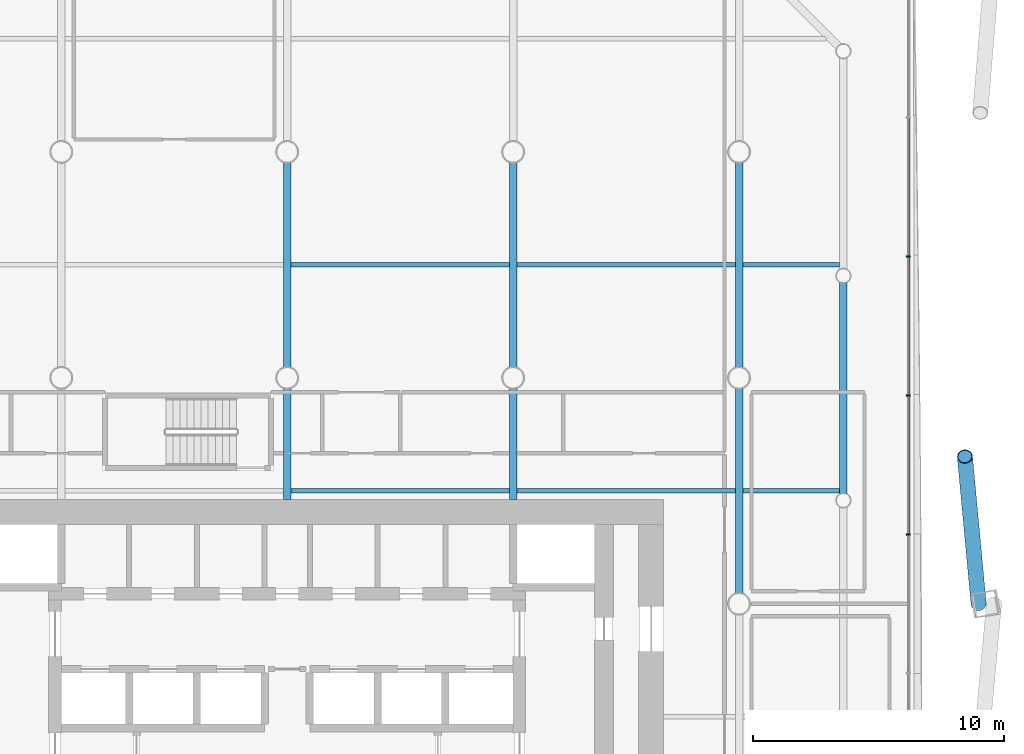
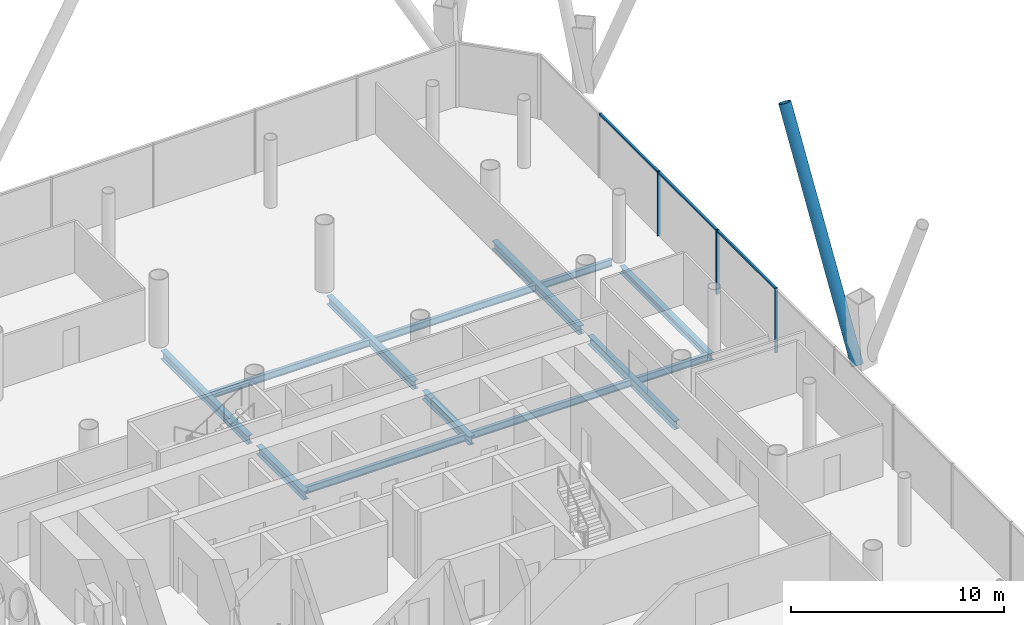
# One storey, part 13 of 25: 13 beams, 7 members, 1 element without a shape of its own.
"""IFC4 building model written with IfcOpenShell, lengths in metres."""

from ifc_helpers import new_model, si_unit, direction, frame, origin, origin_2d, place, context, subcontext, project, spatial, rectangle, hollow_circle, i_section, extrude, material, material_profile, profile_set, type_object, element, aggregate, save


model = new_model("IFC4")

# Units and contexts
model_context = context("Model", 3, precision=1e-05, world=origin(), true_north=direction((0.0, 1.0)))
body_context = subcontext(model_context, "Body", "Model", "MODEL_VIEW")
ifc_project = project(units=[si_unit("LENGTHUNIT", "METRE"), si_unit("AREAUNIT", "SQUARE_METRE"), si_unit("VOLUMEUNIT", "CUBIC_METRE"), si_unit("PLANEANGLEUNIT", "RADIAN"), si_unit("MASSUNIT", "GRAM", prefix="KILO")], contexts=[model_context])

# Site, building, storey
site_placement = place(None, origin())
site = spatial("IfcSite", under=ifc_project, at=site_placement, CompositionType="ELEMENT")
building_placement = place(site_placement, origin())
building = spatial("IfcBuilding", under=site, at=building_placement, Name="Tskaro Facet Tower", CompositionType="ELEMENT")
storey_placement = place(building_placement, frame((0.0, 0.0, 10.800048828125)))
storey = spatial("IfcBuildingStorey", under=building, at=storey_placement, Name="L01", CompositionType="ELEMENT", Elevation=10.800048828125)

# Member
ifc_material_1 = material(Name="Steel S355J2H", Category="steel")
ifc_material_profile_1 = material_profile(ifc_material_1, hollow_circle(Radius=0.304931640625, WallThickness=0.030029296875, at=origin_2d()), Name="CHS 610x30")
ifc_profile_set_1 = profile_set([ifc_material_profile_1], Name="Steel S355J2H")
member_type_1 = type_object("IfcMemberType", Name="CHS 610x30 brace", PredefinedType="BRACE", material=ifc_profile_set_1)
member_1_placement = place(storey_placement, frame((27.544921875, 0.0, 0.0), z_axis=(-0.041803867485, 0.44778409282, 0.893163950728), x_axis=(-0.995670497029, -0.092953006112, 0.0)))
element("IfcMember", 1, at=member_1_placement, inside=storey, type_object=member_type_1, Name="CHS 610x30 XB05A/1", PredefinedType="BRACE", context=body_context, shape_type="SweptSolid", body=[
    extrude(hollow_circle(Radius=0.304931640625, WallThickness=0.030029296875, at=origin_2d()), origin(), (0.0, 0.0, 1.0), 13.099365234375),
])

# Curtain wall, members
ifc_material_2 = material(Name="Bronze anodised aluminium 6063-T6", Category="aluminium")
curtain_wall_type = type_object("IfcCurtainWallType", Name="Bronze office curtain wall (FW1)", PredefinedType="NOTDEFINED", material=ifc_material_2)
curtain_wall_placement = place(storey_placement, origin())
curtain_wall = element("IfcCurtainWall", 2, at=curtain_wall_placement, inside=storey, type_object=curtain_wall_type, Name="FW1 east facet L01", PredefinedType="NOTDEFINED")
ifc_material_profile_2 = material_profile(ifc_material_2, rectangle(XDim=0.06005859375, YDim=0.159912109375, at=origin_2d()), Name="Mullion 60x160")
ifc_profile_set_2 = profile_set([ifc_material_profile_2], Name="Bronze anodised aluminium 6063-T6")
member_type_2 = type_object("IfcMemberType", Name="FW1 bronze mullion 60x160", PredefinedType="MULLION", material=ifc_profile_set_2)
member_2_placement = place(storey_placement, frame((24.75, 2.76611328125, 0.0), z_axis=(0.0, 0.0, 1.0), x_axis=(0.0, 1.0, 0.0)))
member_2 = element("IfcMember", 3, at=member_2_placement, type_object=member_type_2, Name="FW1 east mullion 5", PredefinedType="MULLION", context=body_context, shape_type="SweptSolid", body=[
    extrude(rectangle(XDim=0.06005859375, YDim=0.159912109375, at=origin_2d()), origin(), (0.0, 0.0, 1.0), 3.699951171875),
])
member_3_placement = place(storey_placement, frame((24.75, 8.298583984375, 0.0), z_axis=(0.0, 0.0, 1.0), x_axis=(0.0, 1.0, 0.0)))
member_3 = element("IfcMember", 4, at=member_3_placement, type_object=member_type_2, Name="FW1 east mullion 6", PredefinedType="MULLION", context=body_context, shape_type="SweptSolid", body=[
    extrude(rectangle(XDim=0.06005859375, YDim=0.159912109375, at=origin_2d()), origin(), (0.0, 0.0, 1.0), 3.699951171875),
])
member_4_placement = place(storey_placement, frame((24.75, 13.8310546875, 0.0), z_axis=(0.0, 0.0, 1.0), x_axis=(0.0, 1.0, 0.0)))
member_4 = element("IfcMember", 5, at=member_4_placement, type_object=member_type_2, Name="FW1 east mullion 7", PredefinedType="MULLION", context=body_context, shape_type="SweptSolid", body=[
    extrude(rectangle(XDim=0.06005859375, YDim=0.159912109375, at=origin_2d()), origin(), (0.0, 0.0, 1.0), 3.699951171875),
])
ifc_material_profile_3 = material_profile(ifc_material_2, rectangle(XDim=0.1201171875, YDim=0.10009765625, at=origin_2d()), Name="Transom 120x100")
ifc_profile_set_3 = profile_set([ifc_material_profile_3], Name="Bronze anodised aluminium 6063-T6")
member_type_3 = type_object("IfcMemberType", Name="FW1 bronze transom 120x100", PredefinedType="USERDEFINED", material=ifc_profile_set_3)
member_5_placement = place(storey_placement, frame((24.75, 2.796142578125, 3.64990234375), z_axis=(0.0, 1.0, 0.0), x_axis=(-1.0, 0.0, 0.0)))
member_5 = element("IfcMember", 6, at=member_5_placement, type_object=member_type_3, Name="FW1 east transom 6.1", ObjectType="TRANSOM", PredefinedType="USERDEFINED", context=body_context, shape_type="SweptSolid", body=[
    extrude(rectangle(XDim=0.1201171875, YDim=0.10009765625, at=origin_2d()), origin(), (0.0, 0.0, 1.0), 5.472412109375),
])
member_6_placement = place(storey_placement, frame((24.75, 8.32861328125, 3.64990234375), z_axis=(0.0, 1.0, 0.0), x_axis=(-1.0, 0.0, 0.0)))
member_6 = element("IfcMember", 7, at=member_6_placement, type_object=member_type_3, Name="FW1 east transom 7.1", ObjectType="TRANSOM", PredefinedType="USERDEFINED", context=body_context, shape_type="SweptSolid", body=[
    extrude(rectangle(XDim=0.1201171875, YDim=0.10009765625, at=origin_2d()), origin(), (0.0, 0.0, 1.0), 5.472412109375),
])
member_7_placement = place(storey_placement, frame((24.75, 13.861083984375, 3.64990234375), z_axis=(0.0, 1.0, 0.0), x_axis=(-1.0, 0.0, 0.0)))
member_7 = element("IfcMember", 8, at=member_7_placement, type_object=member_type_3, Name="FW1 east transom 8.1", ObjectType="TRANSOM", PredefinedType="USERDEFINED", context=body_context, shape_type="SweptSolid", body=[
    extrude(rectangle(XDim=0.1201171875, YDim=0.10009765625, at=origin_2d()), origin(), (0.0, 0.0, 1.0), 5.472412109375),
])
aggregate(curtain_wall, [member_2, member_3, member_4, member_5, member_6, member_7])

# Beams
ifc_material_3 = material(Name="Steel S355J2", Category="steel")
ifc_material_profile_4 = material_profile(ifc_material_3, i_section(OverallWidth=0.300048828125, OverallDepth=0.39990234375, WebThickness=0.013427734375, FlangeThickness=0.02392578125, FilletRadius=0.027099609375, at=origin_2d()), Name="HE 400 B")
ifc_profile_set_4 = profile_set([ifc_material_profile_4], Name="Steel S355J2")
beam_type_1 = type_object("IfcBeamType", Name="HE 400 B ring beam", PredefinedType="BEAM", material=ifc_profile_set_4)
beam_1_placement = place(storey_placement, frame((22.156982421875, 4.39111328125, -0.340087890625), z_axis=(0.0, 1.0, 0.0), x_axis=(-1.0, 0.0, 0.0)))
element("IfcBeam", 9, at=beam_1_placement, inside=storey, type_object=beam_type_1, Name="HE 400 B EB11-1", PredefinedType="BEAM", context=body_context, shape_type="SweptSolid", body=[
    extrude(i_section(OverallWidth=0.300048828125, OverallDepth=0.39990234375, WebThickness=0.013427734375, FlangeThickness=0.02392578125, FilletRadius=0.027099609375, at=origin_2d()), origin(), (0.0, 0.0, 1.0), 8.39794921875),
])
ifc_material_profile_5 = material_profile(ifc_material_3, i_section(OverallWidth=0.300048828125, OverallDepth=0.489990234375, WebThickness=0.011962890625, FlangeThickness=0.02294921875, FilletRadius=0.027099609375, at=origin_2d()), Name="HE 500 A")
ifc_profile_set_5 = profile_set([ifc_material_profile_5], Name="Steel S355J2")
beam_type_2 = type_object("IfcBeamType", Name="HE 500 A girder", PredefinedType="BEAM", material=ifc_profile_set_5)
beam_2_placement = place(storey_placement, frame((0.0, 4.14990234375, -0.385009765625), z_axis=(0.0, 1.0, 0.0), x_axis=(-1.0, 0.0, 0.0)))
element("IfcBeam", 10, at=beam_2_placement, inside=storey, type_object=beam_type_2, Name="HE 500 A GB4-3-1", PredefinedType="BEAM", context=body_context, shape_type="SweptSolid", body=[
    extrude(i_section(OverallWidth=0.300048828125, OverallDepth=0.489990234375, WebThickness=0.011962890625, FlangeThickness=0.02294921875, FilletRadius=0.027099609375, at=origin_2d()), origin(), (0.0, 0.0, 1.0), 4.4228515625),
])
beam_3_placement = place(storey_placement, frame((0.0, 9.42724609375, -0.385009765625), z_axis=(0.0, 1.0, 0.0), x_axis=(-1.0, 0.0, 0.0)))
element("IfcBeam", 11, at=beam_3_placement, inside=storey, type_object=beam_type_2, Name="HE 500 A GB4-4-1", PredefinedType="BEAM", context=body_context, shape_type="SweptSolid", body=[
    extrude(i_section(OverallWidth=0.300048828125, OverallDepth=0.489990234375, WebThickness=0.011962890625, FlangeThickness=0.02294921875, FilletRadius=0.027099609375, at=origin_2d()), origin(), (0.0, 0.0, 1.0), 8.1455078125),
])
beam_4_placement = place(storey_placement, frame((9.0, 4.14990234375, -0.385009765625), z_axis=(0.0, 1.0, 0.0), x_axis=(-1.0, 0.0, 0.0)))
element("IfcBeam", 12, at=beam_4_placement, inside=storey, type_object=beam_type_2, Name="HE 500 A GB5-3-1", PredefinedType="BEAM", context=body_context, shape_type="SweptSolid", body=[
    extrude(i_section(OverallWidth=0.300048828125, OverallDepth=0.489990234375, WebThickness=0.011962890625, FlangeThickness=0.02294921875, FilletRadius=0.027099609375, at=origin_2d()), origin(), (0.0, 0.0, 1.0), 4.4228515625),
])
for number, where, z_axis, x_axis, name in (
    (13, (9.0, 9.42724609375, -0.385009765625), (0.0, 1.0, 0.0), (-1.0, 0.0, 0.0), "HE 500 A GB5-4-1"),
    (14, (18.0, 0.42724609375, -0.385009765625), (0.0, 1.0, 0.0), (-1.0, 0.0, 0.0), "HE 500 A GB6-4-1"),
    (15, (18.0, 9.42724609375, -0.385009765625), (0.0, 1.0, 0.0), (-1.0, 0.0, 0.0), "HE 500 A GB6-5-1"),
):
    element("IfcBeam", number, at=place(storey_placement, frame(where, z_axis=z_axis, x_axis=x_axis)), inside=storey, type_object=beam_type_2, Name=name, PredefinedType="BEAM", context=body_context, shape_type="SweptSolid", body=[
        extrude(i_section(OverallWidth=0.300048828125, OverallDepth=0.489990234375, WebThickness=0.011962890625, FlangeThickness=0.02294921875, FilletRadius=0.027099609375, at=origin_2d()), origin(), (0.0, 0.0, 1.0), 8.1455078125),
    ])
ifc_material_profile_6 = material_profile(ifc_material_3, i_section(OverallWidth=0.179931640625, OverallDepth=0.39990234375, WebThickness=0.008544921875, FlangeThickness=0.013427734375, FilletRadius=0.02099609375, at=origin_2d()), Name="IPE 400")
ifc_profile_set_6 = profile_set([ifc_material_profile_6], Name="Steel S355J2")
beam_type_3 = type_object("IfcBeamType", Name="IPE 400 secondary beam", PredefinedType="BEAM", material=ifc_profile_set_6)
for number, where, z_axis, x_axis, name in (
    (16, (0.14990234375, 4.5, -0.340087890625), (1.0, 0.0, 0.0), (0.0, 1.0, 0.0), "IPE 400 SB4a-4-1"),
    (17, (9.14990234375, 4.5, -0.340087890625), (1.0, 0.0, 0.0), (0.0, 1.0, 0.0), "IPE 400 SB4a-5-1"),
):
    element("IfcBeam", number, at=place(storey_placement, frame(where, z_axis=z_axis, x_axis=x_axis)), inside=storey, type_object=beam_type_3, Name=name, PredefinedType="BEAM", context=body_context, shape_type="SweptSolid", body=[
        extrude(i_section(OverallWidth=0.179931640625, OverallDepth=0.39990234375, WebThickness=0.008544921875, FlangeThickness=0.013427734375, FilletRadius=0.02099609375, at=origin_2d()), origin(), (0.0, 0.0, 1.0), 8.7001953125),
    ])
beam_5_placement = place(storey_placement, frame((18.14990234375, 4.5, -0.340087890625), z_axis=(1.0, 0.0, 0.0), x_axis=(0.0, 1.0, 0.0)))
element("IfcBeam", 18, at=beam_5_placement, inside=storey, type_object=beam_type_3, Name="IPE 400 SB4a-6-1", PredefinedType="BEAM", context=body_context, shape_type="SweptSolid", body=[
    extrude(i_section(OverallWidth=0.179931640625, OverallDepth=0.39990234375, WebThickness=0.008544921875, FlangeThickness=0.013427734375, FilletRadius=0.02099609375, at=origin_2d()), origin(), (0.0, 0.0, 1.0), 3.857177734375),
])
for number, where, z_axis, x_axis, name in (
    (19, (0.14990234375, 13.5, -0.340087890625), (1.0, 0.0, 0.0), (0.0, 1.0, 0.0), "IPE 400 SB5a-4-1"),
    (20, (9.14990234375, 13.5, -0.340087890625), (1.0, 0.0, 0.0), (0.0, 1.0, 0.0), "IPE 400 SB5a-5-1"),
):
    element("IfcBeam", number, at=place(storey_placement, frame(where, z_axis=z_axis, x_axis=x_axis)), inside=storey, type_object=beam_type_3, Name=name, PredefinedType="BEAM", context=body_context, shape_type="SweptSolid", body=[
        extrude(i_section(OverallWidth=0.179931640625, OverallDepth=0.39990234375, WebThickness=0.008544921875, FlangeThickness=0.013427734375, FilletRadius=0.02099609375, at=origin_2d()), origin(), (0.0, 0.0, 1.0), 8.7001953125),
    ])
beam_6_placement = place(storey_placement, frame((18.14990234375, 13.5, -0.340087890625), z_axis=(1.0, 0.0, 0.0), x_axis=(0.0, 1.0, 0.0)))
element("IfcBeam", 21, at=beam_6_placement, inside=storey, type_object=beam_type_3, Name="IPE 400 SB5a-6-1", PredefinedType="BEAM", context=body_context, shape_type="SweptSolid", body=[
    extrude(i_section(OverallWidth=0.179931640625, OverallDepth=0.39990234375, WebThickness=0.008544921875, FlangeThickness=0.013427734375, FilletRadius=0.02099609375, at=origin_2d()), origin(), (0.0, 0.0, 1.0), 3.857177734375),
])

save(model, "model.ifc")
